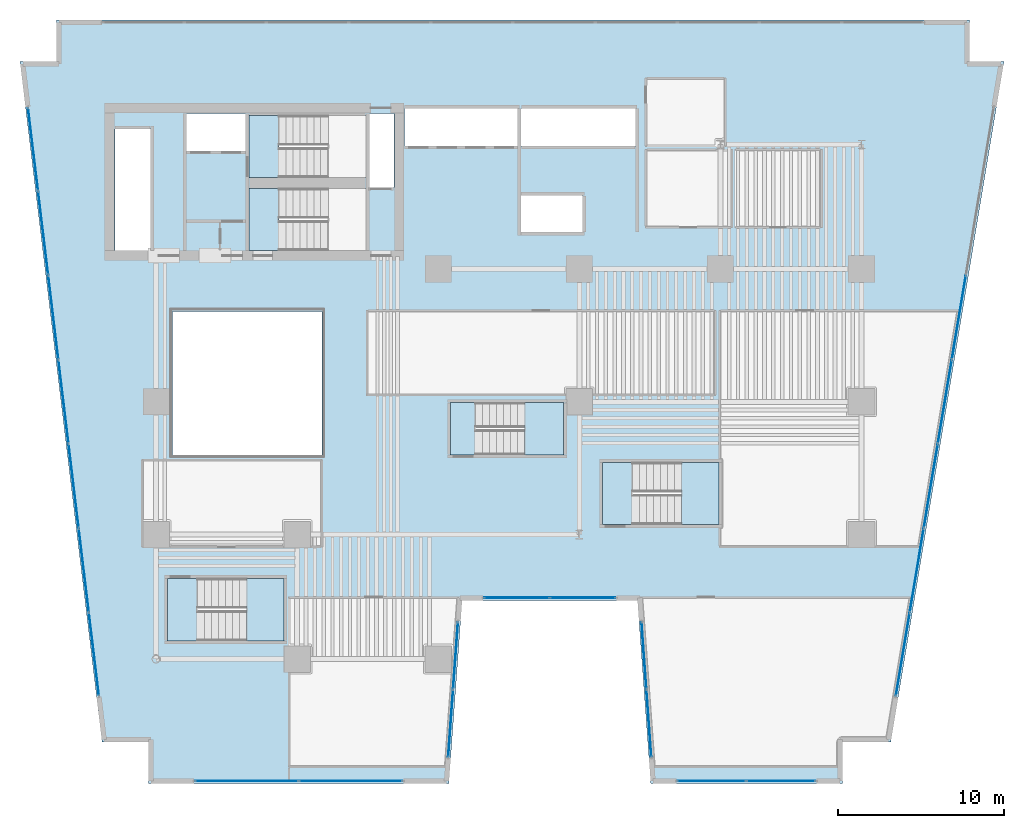
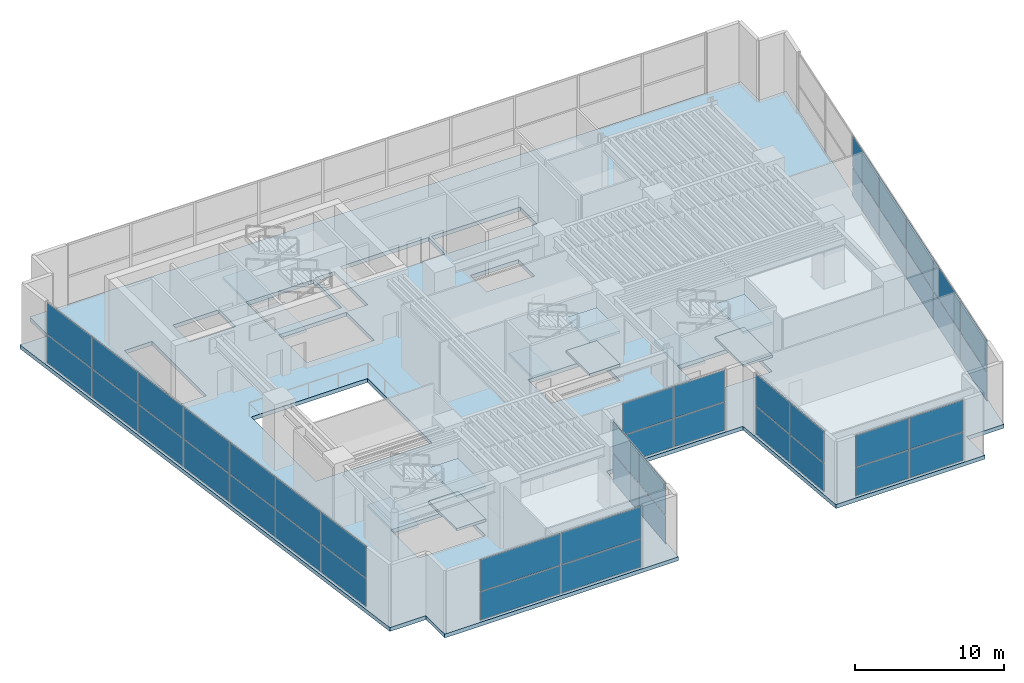
# One storey, part 7 of 16: 44 plates, 12 slabs, 12 elements without a shape of their own.
"""IFC4 building model written with IfcOpenShell, lengths in metres."""

from ifc_helpers import new_model, si_unit, direction, frame, origin, origin_2d, place, context, subcontext, project, spatial, polyline, rectangle, outline, extrude, material, layer, layer_set, type_object, element, aggregate, save


model = new_model("IFC4")

# Units and contexts
model_context = context("Model", 3, precision=1e-05, world=origin(), true_north=direction((0.0, 1.0)))
body_context = subcontext(model_context, "Body", "Model", "MODEL_VIEW")
ifc_project = project(units=[si_unit("LENGTHUNIT", "METRE"), si_unit("AREAUNIT", "SQUARE_METRE"), si_unit("VOLUMEUNIT", "CUBIC_METRE"), si_unit("PLANEANGLEUNIT", "RADIAN"), si_unit("MASSUNIT", "GRAM", prefix="KILO")], contexts=[model_context])

# Site, building, storey
site_placement = place(None, origin())
site = spatial("IfcSite", under=ifc_project, at=site_placement, CompositionType="ELEMENT")
building_placement = place(site_placement, origin())
building = spatial("IfcBuilding", under=site, at=building_placement, Name="Caeloran Harvest Quay", CompositionType="ELEMENT")
storey_placement = place(building_placement, frame((0.0, 0.0, 10.800048828125)))
storey = spatial("IfcBuildingStorey", under=building, at=storey_placement, Name="L03", CompositionType="ELEMENT", Elevation=10.800048828125)

# Curtain wall, plates
ifc_material_1 = material(Name="Aluminium 6063-T6 and Low-E Glazing", Category="aluminium")
ifc_layer_1 = layer(ifc_material_1, 0.179931640625, Name="Aluminium 6063-T6 and Low-E Glazing")
ifc_layer_set_1 = layer_set([ifc_layer_1], Name="Aluminium 6063-T6 and Low-E Glazing")
curtain_wall_type = type_object("IfcCurtainWallType", Name="CW-SYS-CW-1", PredefinedType="USERDEFINED", material=ifc_layer_set_1)
curtain_wall_1_placement = place(storey_placement, origin())
curtain_wall_1 = element("IfcCurtainWall", 1, at=curtain_wall_1_placement, inside=storey, type_object=curtain_wall_type, Name="L03 Unitised Curtain Wall CW-1 Run 3", ObjectType="CURTAIN_WALL", PredefinedType="USERDEFINED")
ifc_material_2 = material(Name="Low-E Double Glazed Vision Glass Unit", Category="glass")
ifc_layer_2 = layer(ifc_material_2, 0.035888671875, Name="Low-E Double Glazed Vision Glass Unit")
ifc_layer_set_2 = layer_set([ifc_layer_2], Name="Low-E Double Glazed Vision Glass Unit")
plate_type = type_object("IfcPlateType", Name="CW-VISION-PANEL", PredefinedType="CURTAIN_PANEL", material=ifc_layer_set_2)
plate_1_placement = place(storey_placement, frame((4.75634765625, 7.78955078125, 0.080078125), z_axis=(0.0, 0.0, 1.0), x_axis=(-0.11965503681, 0.992815527762, 0.0)))
plate_1 = element("IfcPlate", 2, at=plate_1_placement, type_object=plate_type, Name="CW-1 panel 1.1", PredefinedType="CURTAIN_PANEL", context=body_context, shape_type="SweptSolid", body=[
    extrude(rectangle(XDim=4.993408203125, YDim=0.035888671875, at=origin_2d()), origin(), (0.0, 0.0, 1.0), 2.280029296875),
])
plate_2_placement = place(storey_placement, frame((4.75634765625, 7.78955078125, 2.43994140625), z_axis=(0.0, 0.0, 1.0), x_axis=(-0.11965503681, 0.992815527762, 0.0)))
plate_2 = element("IfcPlate", 3, at=plate_2_placement, type_object=plate_type, Name="CW-1 panel 1.2", PredefinedType="CURTAIN_PANEL", context=body_context, shape_type="SweptSolid", body=[
    extrude(rectangle(XDim=4.993408203125, YDim=0.035888671875, at=origin_2d()), origin(), (0.0, 0.0, 1.0), 2.56005859375),
])
plate_3_placement = place(storey_placement, frame((4.146728515625, 12.846435546875, 0.080078125), z_axis=(0.0, 0.0, 1.0), x_axis=(-0.11965503681, 0.992815527762, 0.0)))
plate_3 = element("IfcPlate", 4, at=plate_3_placement, type_object=plate_type, Name="CW-1 panel 2.1", PredefinedType="CURTAIN_PANEL", context=body_context, shape_type="SweptSolid", body=[
    extrude(rectangle(XDim=5.033447265625, YDim=0.035888671875, at=origin_2d()), origin(), (0.0, 0.0, 1.0), 2.280029296875),
])
plate_4_placement = place(storey_placement, frame((4.146728515625, 12.846435546875, 2.43994140625), z_axis=(0.0, 0.0, 1.0), x_axis=(-0.11965503681, 0.992815527762, 0.0)))
plate_4 = element("IfcPlate", 5, at=plate_4_placement, type_object=plate_type, Name="CW-1 panel 2.2", PredefinedType="CURTAIN_PANEL", context=body_context, shape_type="SweptSolid", body=[
    extrude(rectangle(XDim=5.033447265625, YDim=0.035888671875, at=origin_2d()), origin(), (0.0, 0.0, 1.0), 2.56005859375),
])
plate_5_placement = place(storey_placement, frame((3.534912109375, 17.92333984375, 0.080078125), z_axis=(0.0, 0.0, 1.0), x_axis=(-0.11965503681, 0.992815527762, 0.0)))
plate_5 = element("IfcPlate", 6, at=plate_5_placement, type_object=plate_type, Name="CW-1 panel 3.1", PredefinedType="CURTAIN_PANEL", context=body_context, shape_type="SweptSolid", body=[
    extrude(rectangle(XDim=5.033447265625, YDim=0.035888671875, at=origin_2d()), origin(), (0.0, 0.0, 1.0), 2.280029296875),
])
plate_6_placement = place(storey_placement, frame((3.534912109375, 17.92333984375, 2.43994140625), z_axis=(0.0, 0.0, 1.0), x_axis=(-0.11965503681, 0.992815527762, 0.0)))
plate_6 = element("IfcPlate", 7, at=plate_6_placement, type_object=plate_type, Name="CW-1 panel 3.2", PredefinedType="CURTAIN_PANEL", context=body_context, shape_type="SweptSolid", body=[
    extrude(rectangle(XDim=5.033447265625, YDim=0.035888671875, at=origin_2d()), origin(), (0.0, 0.0, 1.0), 2.56005859375),
])
plate_7_placement = place(storey_placement, frame((2.923095703125, 23.0, 0.080078125), z_axis=(0.0, 0.0, 1.0), x_axis=(-0.11965503681, 0.992815527762, 0.0)))
plate_7 = element("IfcPlate", 8, at=plate_7_placement, type_object=plate_type, Name="CW-1 panel 4.1", PredefinedType="CURTAIN_PANEL", context=body_context, shape_type="SweptSolid", body=[
    extrude(rectangle(XDim=5.033447265625, YDim=0.035888671875, at=origin_2d()), origin(), (0.0, 0.0, 1.0), 2.280029296875),
])
plate_8_placement = place(storey_placement, frame((2.923095703125, 23.0, 2.43994140625), z_axis=(0.0, 0.0, 1.0), x_axis=(-0.11965503681, 0.992815527762, 0.0)))
plate_8 = element("IfcPlate", 9, at=plate_8_placement, type_object=plate_type, Name="CW-1 panel 4.2", PredefinedType="CURTAIN_PANEL", context=body_context, shape_type="SweptSolid", body=[
    extrude(rectangle(XDim=5.033447265625, YDim=0.035888671875, at=origin_2d()), origin(), (0.0, 0.0, 1.0), 2.56005859375),
])
plate_9_placement = place(storey_placement, frame((2.311279296875, 28.07666015625, 0.080078125), z_axis=(0.0, 0.0, 1.0), x_axis=(-0.11965503681, 0.992815527762, 0.0)))
plate_9 = element("IfcPlate", 10, at=plate_9_placement, type_object=plate_type, Name="CW-1 panel 5.1", PredefinedType="CURTAIN_PANEL", context=body_context, shape_type="SweptSolid", body=[
    extrude(rectangle(XDim=5.033447265625, YDim=0.035888671875, at=origin_2d()), origin(), (0.0, 0.0, 1.0), 2.280029296875),
])
plate_10_placement = place(storey_placement, frame((2.311279296875, 28.07666015625, 2.43994140625), z_axis=(0.0, 0.0, 1.0), x_axis=(-0.11965503681, 0.992815527762, 0.0)))
plate_10 = element("IfcPlate", 11, at=plate_10_placement, type_object=plate_type, Name="CW-1 panel 5.2", PredefinedType="CURTAIN_PANEL", context=body_context, shape_type="SweptSolid", body=[
    extrude(rectangle(XDim=5.033447265625, YDim=0.035888671875, at=origin_2d()), origin(), (0.0, 0.0, 1.0), 2.56005859375),
])
plate_11_placement = place(storey_placement, frame((1.699462890625, 33.153564453125, 0.080078125), z_axis=(0.0, 0.0, 1.0), x_axis=(-0.11965503681, 0.992815527762, 0.0)))
plate_11 = element("IfcPlate", 12, at=plate_11_placement, type_object=plate_type, Name="CW-1 panel 6.1", PredefinedType="CURTAIN_PANEL", context=body_context, shape_type="SweptSolid", body=[
    extrude(rectangle(XDim=5.033447265625, YDim=0.035888671875, at=origin_2d()), origin(), (0.0, 0.0, 1.0), 2.280029296875),
])
plate_12_placement = place(storey_placement, frame((1.699462890625, 33.153564453125, 2.43994140625), z_axis=(0.0, 0.0, 1.0), x_axis=(-0.11965503681, 0.992815527762, 0.0)))
plate_12 = element("IfcPlate", 13, at=plate_12_placement, type_object=plate_type, Name="CW-1 panel 6.2", PredefinedType="CURTAIN_PANEL", context=body_context, shape_type="SweptSolid", body=[
    extrude(rectangle(XDim=5.033447265625, YDim=0.035888671875, at=origin_2d()), origin(), (0.0, 0.0, 1.0), 2.56005859375),
])
plate_13_placement = place(storey_placement, frame((1.08984375, 38.21044921875, 0.080078125), z_axis=(0.0, 0.0, 1.0), x_axis=(-0.11965503681, 0.992815527762, 0.0)))
plate_13 = element("IfcPlate", 14, at=plate_13_placement, type_object=plate_type, Name="CW-1 panel 7.1", PredefinedType="CURTAIN_PANEL", context=body_context, shape_type="SweptSolid", body=[
    extrude(rectangle(XDim=4.993408203125, YDim=0.035888671875, at=origin_2d()), origin(), (0.0, 0.0, 1.0), 2.280029296875),
])
plate_14_placement = place(storey_placement, frame((1.08984375, 38.21044921875, 2.43994140625), z_axis=(0.0, 0.0, 1.0), x_axis=(-0.11965503681, 0.992815527762, 0.0)))
plate_14 = element("IfcPlate", 15, at=plate_14_placement, type_object=plate_type, Name="CW-1 panel 7.2", PredefinedType="CURTAIN_PANEL", context=body_context, shape_type="SweptSolid", body=[
    extrude(rectangle(XDim=4.993408203125, YDim=0.035888671875, at=origin_2d()), origin(), (0.0, 0.0, 1.0), 2.56005859375),
])
aggregate(curtain_wall_1, [plate_1, plate_2, plate_3, plate_4, plate_5, plate_6, plate_7, plate_8, plate_9, plate_10, plate_11, plate_12, plate_13, plate_14])

curtain_wall_2_placement = place(storey_placement, origin())
curtain_wall_2 = element("IfcCurtainWall", 16, at=curtain_wall_2_placement, inside=storey, type_object=curtain_wall_type, Name="L03 Unitised Curtain Wall CW-1 Run 9", ObjectType="CURTAIN_WALL", PredefinedType="USERDEFINED")
plate_15_placement = place(storey_placement, frame((56.86572265625, 28.08154296875, 0.080078125), z_axis=(0.0, 0.0, 1.0), x_axis=(-0.164174131837, -0.986431373404, 0.0)))
plate_15 = element("IfcPlate", 17, at=plate_15_placement, type_object=plate_type, Name="CW-1 panel 3.1", PredefinedType="CURTAIN_PANEL", context=body_context, shape_type="SweptSolid", body=[
    extrude(rectangle(XDim=5.071533203125, YDim=0.035888671875, at=origin_2d()), origin(), (0.0, 0.0, 1.0), 2.280029296875),
])
plate_16_placement = place(storey_placement, frame((56.86572265625, 28.08154296875, 2.43994140625), z_axis=(0.0, 0.0, 1.0), x_axis=(-0.164174131837, -0.986431373404, 0.0)))
plate_16 = element("IfcPlate", 18, at=plate_16_placement, type_object=plate_type, Name="CW-1 panel 3.2", PredefinedType="CURTAIN_PANEL", context=body_context, shape_type="SweptSolid", body=[
    extrude(rectangle(XDim=5.071533203125, YDim=0.035888671875, at=origin_2d()), origin(), (0.0, 0.0, 1.0), 2.56005859375),
])
plate_17_placement = place(storey_placement, frame((56.02001953125, 23.0, 0.080078125), z_axis=(0.0, 0.0, 1.0), x_axis=(-0.164174131837, -0.986431373404, 0.0)))
plate_17 = element("IfcPlate", 19, at=plate_17_placement, type_object=plate_type, Name="CW-1 panel 4.1", PredefinedType="CURTAIN_PANEL", context=body_context, shape_type="SweptSolid", body=[
    extrude(rectangle(XDim=5.071533203125, YDim=0.035888671875, at=origin_2d()), origin(), (0.0, 0.0, 1.0), 2.280029296875),
])
plate_18_placement = place(storey_placement, frame((56.02001953125, 23.0, 2.43994140625), z_axis=(0.0, 0.0, 1.0), x_axis=(-0.164174131837, -0.986431373404, 0.0)))
plate_18 = element("IfcPlate", 20, at=plate_18_placement, type_object=plate_type, Name="CW-1 panel 4.2", PredefinedType="CURTAIN_PANEL", context=body_context, shape_type="SweptSolid", body=[
    extrude(rectangle(XDim=5.071533203125, YDim=0.035888671875, at=origin_2d()), origin(), (0.0, 0.0, 1.0), 2.56005859375),
])
plate_19_placement = place(storey_placement, frame((55.17431640625, 17.91845703125, 0.080078125), z_axis=(0.0, 0.0, 1.0), x_axis=(-0.164174131837, -0.986431373404, 0.0)))
plate_19 = element("IfcPlate", 21, at=plate_19_placement, type_object=plate_type, Name="CW-1 panel 5.1", PredefinedType="CURTAIN_PANEL", context=body_context, shape_type="SweptSolid", body=[
    extrude(rectangle(XDim=5.071533203125, YDim=0.035888671875, at=origin_2d()), origin(), (0.0, 0.0, 1.0), 2.280029296875),
])
plate_20_placement = place(storey_placement, frame((55.17431640625, 17.91845703125, 2.43994140625), z_axis=(0.0, 0.0, 1.0), x_axis=(-0.164174131837, -0.986431373404, 0.0)))
plate_20 = element("IfcPlate", 22, at=plate_20_placement, type_object=plate_type, Name="CW-1 panel 5.2", PredefinedType="CURTAIN_PANEL", context=body_context, shape_type="SweptSolid", body=[
    extrude(rectangle(XDim=5.071533203125, YDim=0.035888671875, at=origin_2d()), origin(), (0.0, 0.0, 1.0), 2.56005859375),
])
plate_21_placement = place(storey_placement, frame((54.32861328125, 12.8369140625, 0.080078125), z_axis=(0.0, 0.0, 1.0), x_axis=(-0.164174131837, -0.986431373404, 0.0)))
plate_21 = element("IfcPlate", 23, at=plate_21_placement, type_object=plate_type, Name="CW-1 panel 6.1", PredefinedType="CURTAIN_PANEL", context=body_context, shape_type="SweptSolid", body=[
    extrude(rectangle(XDim=5.071533203125, YDim=0.035888671875, at=origin_2d()), origin(), (0.0, 0.0, 1.0), 2.280029296875),
])
plate_22_placement = place(storey_placement, frame((54.32861328125, 12.8369140625, 2.43994140625), z_axis=(0.0, 0.0, 1.0), x_axis=(-0.164174131837, -0.986431373404, 0.0)))
plate_22 = element("IfcPlate", 24, at=plate_22_placement, type_object=plate_type, Name="CW-1 panel 6.2", PredefinedType="CURTAIN_PANEL", context=body_context, shape_type="SweptSolid", body=[
    extrude(rectangle(XDim=5.071533203125, YDim=0.035888671875, at=origin_2d()), origin(), (0.0, 0.0, 1.0), 2.56005859375),
])
plate_23_placement = place(storey_placement, frame((53.486083984375, 7.775146484375, 0.080078125), z_axis=(0.0, 0.0, 1.0), x_axis=(-0.164174131837, -0.986431373404, 0.0)))
plate_23 = element("IfcPlate", 25, at=plate_23_placement, type_object=plate_type, Name="CW-1 panel 7.1", PredefinedType="CURTAIN_PANEL", context=body_context, shape_type="SweptSolid", body=[
    extrude(rectangle(XDim=5.031494140625, YDim=0.035888671875, at=origin_2d()), origin(), (0.0, 0.0, 1.0), 2.280029296875),
])
plate_24_placement = place(storey_placement, frame((53.486083984375, 7.775146484375, 2.43994140625), z_axis=(0.0, 0.0, 1.0), x_axis=(-0.164174131837, -0.986431373404, 0.0)))
plate_24 = element("IfcPlate", 26, at=plate_24_placement, type_object=plate_type, Name="CW-1 panel 7.2", PredefinedType="CURTAIN_PANEL", context=body_context, shape_type="SweptSolid", body=[
    extrude(rectangle(XDim=5.031494140625, YDim=0.035888671875, at=origin_2d()), origin(), (0.0, 0.0, 1.0), 2.56005859375),
])
aggregate(curtain_wall_2, [plate_15, plate_16, plate_17, plate_18, plate_19, plate_20, plate_21, plate_22, plate_23, plate_24])

curtain_wall_3_placement = place(storey_placement, origin())
curtain_wall_3 = element("IfcCurtainWall", 27, at=curtain_wall_3_placement, inside=storey, type_object=curtain_wall_type, Name="L03 Unitised Curtain Wall CW-1 Run 12", ObjectType="CURTAIN_WALL", PredefinedType="USERDEFINED")
plate_25_placement = place(storey_placement, frame((46.161376953125, 0.14990234375, 0.080078125), z_axis=(0.0, 0.0, 1.0), x_axis=(-1.0, 0.0, 0.0)))
plate_25 = element("IfcPlate", 28, at=plate_25_placement, type_object=plate_type, Name="CW-1 panel 1.1", PredefinedType="CURTAIN_PANEL", context=body_context, shape_type="SweptSolid", body=[
    extrude(rectangle(XDim=4.105224609375, YDim=0.035888671875, at=origin_2d()), origin(), (0.0, 0.0, 1.0), 2.280029296875),
])
plate_26_placement = place(storey_placement, frame((46.161376953125, 0.14990234375, 2.43994140625), z_axis=(0.0, 0.0, 1.0), x_axis=(-1.0, 0.0, 0.0)))
plate_26 = element("IfcPlate", 29, at=plate_26_placement, type_object=plate_type, Name="CW-1 panel 1.2", PredefinedType="CURTAIN_PANEL", context=body_context, shape_type="SweptSolid", body=[
    extrude(rectangle(XDim=4.105224609375, YDim=0.035888671875, at=origin_2d()), origin(), (0.0, 0.0, 1.0), 2.56005859375),
])
plate_27_placement = place(storey_placement, frame((41.97607421875, 0.14990234375, 0.080078125), z_axis=(0.0, 0.0, 1.0), x_axis=(-1.0, 0.0, 0.0)))
plate_27 = element("IfcPlate", 30, at=plate_27_placement, type_object=plate_type, Name="CW-1 panel 2.1", PredefinedType="CURTAIN_PANEL", context=body_context, shape_type="SweptSolid", body=[
    extrude(rectangle(XDim=4.105224609375, YDim=0.035888671875, at=origin_2d()), origin(), (0.0, 0.0, 1.0), 2.280029296875),
])
plate_28_placement = place(storey_placement, frame((41.97607421875, 0.14990234375, 2.43994140625), z_axis=(0.0, 0.0, 1.0), x_axis=(-1.0, 0.0, 0.0)))
plate_28 = element("IfcPlate", 31, at=plate_28_placement, type_object=plate_type, Name="CW-1 panel 2.2", PredefinedType="CURTAIN_PANEL", context=body_context, shape_type="SweptSolid", body=[
    extrude(rectangle(XDim=4.105224609375, YDim=0.035888671875, at=origin_2d()), origin(), (0.0, 0.0, 1.0), 2.56005859375),
])
aggregate(curtain_wall_3, [plate_25, plate_26, plate_27, plate_28])

curtain_wall_4_placement = place(storey_placement, origin())
curtain_wall_4 = element("IfcCurtainWall", 32, at=curtain_wall_4_placement, inside=storey, type_object=curtain_wall_type, Name="L03 Unitised Curtain Wall CW-1 Run 13", ObjectType="CURTAIN_WALL", PredefinedType="USERDEFINED")
plate_29_placement = place(storey_placement, frame((38.19140625, 3.628173828125, 0.080078125), z_axis=(0.0, 0.0, 1.0), x_axis=(-0.072270599173, 0.997385061295, 0.0)))
plate_29 = element("IfcPlate", 33, at=plate_29_placement, type_object=plate_type, Name="CW-1 panel 1.1", PredefinedType="CURTAIN_PANEL", context=body_context, shape_type="SweptSolid", body=[
    extrude(rectangle(XDim=4.014404296875, YDim=0.035888671875, at=origin_2d()), origin(), (0.0, 0.0, 1.0), 2.280029296875),
])
plate_30_placement = place(storey_placement, frame((38.19140625, 3.628173828125, 2.43994140625), z_axis=(0.0, 0.0, 1.0), x_axis=(-0.072270599173, 0.997385061295, 0.0)))
plate_30 = element("IfcPlate", 34, at=plate_30_placement, type_object=plate_type, Name="CW-1 panel 1.2", PredefinedType="CURTAIN_PANEL", context=body_context, shape_type="SweptSolid", body=[
    extrude(rectangle(XDim=4.014404296875, YDim=0.035888671875, at=origin_2d()), origin(), (0.0, 0.0, 1.0), 2.56005859375),
])
plate_31_placement = place(storey_placement, frame((37.8955078125, 7.7119140625, 0.080078125), z_axis=(0.0, 0.0, 1.0), x_axis=(-0.072270599173, 0.997385061295, 0.0)))
plate_31 = element("IfcPlate", 35, at=plate_31_placement, type_object=plate_type, Name="CW-1 panel 2.1", PredefinedType="CURTAIN_PANEL", context=body_context, shape_type="SweptSolid", body=[
    extrude(rectangle(XDim=4.014404296875, YDim=0.035888671875, at=origin_2d()), origin(), (0.0, 0.0, 1.0), 2.280029296875),
])
plate_32_placement = place(storey_placement, frame((37.8955078125, 7.7119140625, 2.43994140625), z_axis=(0.0, 0.0, 1.0), x_axis=(-0.072270599173, 0.997385061295, 0.0)))
plate_32 = element("IfcPlate", 36, at=plate_32_placement, type_object=plate_type, Name="CW-1 panel 2.2", PredefinedType="CURTAIN_PANEL", context=body_context, shape_type="SweptSolid", body=[
    extrude(rectangle(XDim=4.014404296875, YDim=0.035888671875, at=origin_2d()), origin(), (0.0, 0.0, 1.0), 2.56005859375),
])
aggregate(curtain_wall_4, [plate_29, plate_30, plate_31, plate_32])

curtain_wall_5_placement = place(storey_placement, origin())
curtain_wall_5 = element("IfcCurtainWall", 37, at=curtain_wall_5_placement, inside=storey, type_object=curtain_wall_type, Name="L03 Unitised Curtain Wall CW-1 Run 14", ObjectType="CURTAIN_WALL", PredefinedType="USERDEFINED")
plate_33_placement = place(storey_placement, frame((34.211669921875, 11.18994140625, 0.080078125), z_axis=(0.0, 0.0, 1.0), x_axis=(-1.0, 0.0, 0.0)))
plate_33 = element("IfcPlate", 38, at=plate_33_placement, type_object=plate_type, Name="CW-1 panel 1.1", PredefinedType="CURTAIN_PANEL", context=body_context, shape_type="SweptSolid", body=[
    extrude(rectangle(XDim=3.903564453125, YDim=0.035888671875, at=origin_2d()), origin(), (0.0, 0.0, 1.0), 2.280029296875),
])
plate_34_placement = place(storey_placement, frame((34.211669921875, 11.18994140625, 2.43994140625), z_axis=(0.0, 0.0, 1.0), x_axis=(-1.0, 0.0, 0.0)))
plate_34 = element("IfcPlate", 39, at=plate_34_placement, type_object=plate_type, Name="CW-1 panel 1.2", PredefinedType="CURTAIN_PANEL", context=body_context, shape_type="SweptSolid", body=[
    extrude(rectangle(XDim=3.903564453125, YDim=0.035888671875, at=origin_2d()), origin(), (0.0, 0.0, 1.0), 2.56005859375),
])
plate_35_placement = place(storey_placement, frame((30.228271484375, 11.18994140625, 0.080078125), z_axis=(0.0, 0.0, 1.0), x_axis=(-1.0, 0.0, 0.0)))
plate_35 = element("IfcPlate", 40, at=plate_35_placement, type_object=plate_type, Name="CW-1 panel 2.1", PredefinedType="CURTAIN_PANEL", context=body_context, shape_type="SweptSolid", body=[
    extrude(rectangle(XDim=3.903564453125, YDim=0.035888671875, at=origin_2d()), origin(), (0.0, 0.0, 1.0), 2.280029296875),
])
plate_36_placement = place(storey_placement, frame((30.228271484375, 11.18994140625, 2.43994140625), z_axis=(0.0, 0.0, 1.0), x_axis=(-1.0, 0.0, 0.0)))
plate_36 = element("IfcPlate", 41, at=plate_36_placement, type_object=plate_type, Name="CW-1 panel 2.2", PredefinedType="CURTAIN_PANEL", context=body_context, shape_type="SweptSolid", body=[
    extrude(rectangle(XDim=3.903564453125, YDim=0.035888671875, at=origin_2d()), origin(), (0.0, 0.0, 1.0), 2.56005859375),
])
aggregate(curtain_wall_5, [plate_33, plate_34, plate_35, plate_36])

curtain_wall_6_placement = place(storey_placement, origin())
curtain_wall_6 = element("IfcCurtainWall", 42, at=curtain_wall_6_placement, inside=storey, type_object=curtain_wall_type, Name="L03 Unitised Curtain Wall CW-1 Run 15", ObjectType="CURTAIN_WALL", PredefinedType="USERDEFINED")
plate_37_placement = place(storey_placement, frame((26.54443359375, 7.7119140625, 0.080078125), z_axis=(0.0, 0.0, 1.0), x_axis=(-0.072270599173, -0.997385061295, 0.0)))
plate_37 = element("IfcPlate", 43, at=plate_37_placement, type_object=plate_type, Name="CW-1 panel 1.1", PredefinedType="CURTAIN_PANEL", context=body_context, shape_type="SweptSolid", body=[
    extrude(rectangle(XDim=4.014404296875, YDim=0.035888671875, at=origin_2d()), origin(), (0.0, 0.0, 1.0), 2.280029296875),
])
plate_38_placement = place(storey_placement, frame((26.54443359375, 7.7119140625, 2.43994140625), z_axis=(0.0, 0.0, 1.0), x_axis=(-0.072270599173, -0.997385061295, 0.0)))
plate_38 = element("IfcPlate", 44, at=plate_38_placement, type_object=plate_type, Name="CW-1 panel 1.2", PredefinedType="CURTAIN_PANEL", context=body_context, shape_type="SweptSolid", body=[
    extrude(rectangle(XDim=4.014404296875, YDim=0.035888671875, at=origin_2d()), origin(), (0.0, 0.0, 1.0), 2.56005859375),
])
plate_39_placement = place(storey_placement, frame((26.24853515625, 3.628173828125, 0.080078125), z_axis=(0.0, 0.0, 1.0), x_axis=(-0.072270599173, -0.997385061295, 0.0)))
plate_39 = element("IfcPlate", 45, at=plate_39_placement, type_object=plate_type, Name="CW-1 panel 2.1", PredefinedType="CURTAIN_PANEL", context=body_context, shape_type="SweptSolid", body=[
    extrude(rectangle(XDim=4.014404296875, YDim=0.035888671875, at=origin_2d()), origin(), (0.0, 0.0, 1.0), 2.280029296875),
])
plate_40_placement = place(storey_placement, frame((26.24853515625, 3.628173828125, 2.43994140625), z_axis=(0.0, 0.0, 1.0), x_axis=(-0.072270599173, -0.997385061295, 0.0)))
plate_40 = element("IfcPlate", 46, at=plate_40_placement, type_object=plate_type, Name="CW-1 panel 2.2", PredefinedType="CURTAIN_PANEL", context=body_context, shape_type="SweptSolid", body=[
    extrude(rectangle(XDim=4.014404296875, YDim=0.035888671875, at=origin_2d()), origin(), (0.0, 0.0, 1.0), 2.56005859375),
])
aggregate(curtain_wall_6, [plate_37, plate_38, plate_39, plate_40])

curtain_wall_7_placement = place(storey_placement, origin())
curtain_wall_7 = element("IfcCurtainWall", 47, at=curtain_wall_7_placement, inside=storey, type_object=curtain_wall_type, Name="L03 Unitised Curtain Wall CW-1 Run 16", ObjectType="CURTAIN_WALL", PredefinedType="USERDEFINED")
plate_41_placement = place(storey_placement, frame((20.225830078125, 0.14990234375, 0.080078125), z_axis=(0.0, 0.0, 1.0), x_axis=(-1.0, 0.0, 0.0)))
plate_41 = element("IfcPlate", 48, at=plate_41_placement, type_object=plate_type, Name="CW-1 panel 1.1", PredefinedType="CURTAIN_PANEL", context=body_context, shape_type="SweptSolid", body=[
    extrude(rectangle(XDim=6.18115234375, YDim=0.035888671875, at=origin_2d()), origin(), (0.0, 0.0, 1.0), 2.280029296875),
])
plate_42_placement = place(storey_placement, frame((20.225830078125, 0.14990234375, 2.43994140625), z_axis=(0.0, 0.0, 1.0), x_axis=(-1.0, 0.0, 0.0)))
plate_42 = element("IfcPlate", 49, at=plate_42_placement, type_object=plate_type, Name="CW-1 panel 1.2", PredefinedType="CURTAIN_PANEL", context=body_context, shape_type="SweptSolid", body=[
    extrude(rectangle(XDim=6.18115234375, YDim=0.035888671875, at=origin_2d()), origin(), (0.0, 0.0, 1.0), 2.56005859375),
])
plate_43_placement = place(storey_placement, frame((13.964599609375, 0.14990234375, 0.080078125), z_axis=(0.0, 0.0, 1.0), x_axis=(-1.0, 0.0, 0.0)))
plate_43 = element("IfcPlate", 50, at=plate_43_placement, type_object=plate_type, Name="CW-1 panel 2.1", PredefinedType="CURTAIN_PANEL", context=body_context, shape_type="SweptSolid", body=[
    extrude(rectangle(XDim=6.18115234375, YDim=0.035888671875, at=origin_2d()), origin(), (0.0, 0.0, 1.0), 2.280029296875),
])
plate_44_placement = place(storey_placement, frame((13.964599609375, 0.14990234375, 2.43994140625), z_axis=(0.0, 0.0, 1.0), x_axis=(-1.0, 0.0, 0.0)))
plate_44 = element("IfcPlate", 51, at=plate_44_placement, type_object=plate_type, Name="CW-1 panel 2.2", PredefinedType="CURTAIN_PANEL", context=body_context, shape_type="SweptSolid", body=[
    extrude(rectangle(XDim=6.18115234375, YDim=0.035888671875, at=origin_2d()), origin(), (0.0, 0.0, 1.0), 2.56005859375),
])
aggregate(curtain_wall_7, [plate_41, plate_42, plate_43, plate_44])

# Slab
ifc_material_3 = material(Name="Concrete C50/60", Category="concrete")
ifc_layer_3 = layer(ifc_material_3, 0.320068359375, Name="Concrete C50/60")
ifc_layer_set_3 = layer_set([ifc_layer_3], Name="Concrete C50/60")
slab_type_1 = type_object("IfcSlabType", Name="SLAB-FS-320", PredefinedType="FLOOR", material=ifc_layer_set_3)
slab_1_placement = place(storey_placement, frame((0.0, 0.0, -0.320068359375)))
element("IfcSlab", 52, at=slab_1_placement, inside=storey, type_object=slab_type_1, Name="L03 Structural Floor Slab", PredefinedType="FLOOR", context=body_context, shape_type="SweptSolid", body=[
    extrude(outline(polyline([(8.0439453125, 0.0), (26.135986328125, 0.0), (26.93603515625, 11.0400390625), (37.50390625, 11.0400390625), (38.303955078125, 0.0), (49.843994140625, 0.0), (49.843994140625, 2.5), (52.760009765625, 2.5), (59.583984375, 43.5), (57.5, 43.5), (57.5, 46.0), (2.5, 46.0), (2.5, 43.5), (0.30126953125, 43.5), (5.24267578125, 2.5), (8.0439453125, 2.5), (8.0439453125, 0.0)]), holes=[polyline([(11.0, 8.60009765625), (11.0, 12.35009765625), (16.199951171875, 12.35009765625), (16.199951171875, 8.60009765625), (11.0, 8.60009765625)]), polyline([(9.5, 19.800048828125), (9.5, 28.449951171875), (18.5, 28.449951171875), (18.5, 19.800048828125), (9.5, 19.800048828125)]), polyline([(15.89990234375, 35.85009765625), (21.14990234375, 35.85009765625), (21.14990234375, 32.10009765625), (15.89990234375, 32.10009765625), (15.89990234375, 35.85009765625)]), polyline([(8.159912109375, 32.1201171875), (6.02001953125, 32.1201171875), (6.02001953125, 39.419921875), (8.159912109375, 39.419921875), (8.159912109375, 32.1201171875)]), polyline([(15.89990234375, 40.25), (21.14990234375, 40.25), (21.14990234375, 36.5), (15.89990234375, 36.5), (15.89990234375, 40.25)]), polyline([(10.320068359375, 38.1201171875), (10.320068359375, 40.3798828125), (13.89990234375, 40.3798828125), (13.89990234375, 38.1201171875), (10.320068359375, 38.1201171875)]), polyline([(37.199951171875, 15.60009765625), (37.199951171875, 19.35009765625), (42.39990234375, 19.35009765625), (42.39990234375, 15.60009765625), (37.199951171875, 15.60009765625)]), polyline([(27.75, 22.949951171875), (33.050048828125, 22.949951171875), (33.050048828125, 19.800048828125), (27.75, 19.800048828125), (27.75, 22.949951171875)]), polyline([(30.47998046875, 33.219970703125), (30.47998046875, 35.429931640625), (34.199951171875, 35.429931640625), (34.199951171875, 33.219970703125), (30.47998046875, 33.219970703125)]), polyline([(22.830078125, 35.919921875), (21.35009765625, 35.919921875), (21.35009765625, 40.3798828125), (22.830078125, 40.3798828125), (22.830078125, 35.919921875)]), polyline([(23.469970703125, 38.419921875), (23.469970703125, 40.679931640625), (30.280029296875, 40.679931640625), (30.280029296875, 38.419921875), (23.469970703125, 38.419921875)]), polyline([(30.47998046875, 38.419921875), (30.47998046875, 40.679931640625), (37.3798828125, 40.679931640625), (37.3798828125, 38.419921875), (30.47998046875, 38.419921875)])]), origin(), (0.0, 0.0, 1.0), 0.320068359375),
])

# Stair, slab
stair_type_1 = type_object("IfcStairType", Name="STAIR-STC-180", PredefinedType="HALF_TURN_STAIR", material=ifc_material_3)
stair_1_placement = place(storey_placement, origin())
stair_1 = element("IfcStair", 53, at=stair_1_placement, inside=storey, type_object=stair_type_1, Name="L03 Core Pressurized Exit Stair ST-C1", PredefinedType="HALF_TURN_STAIR")
ifc_layer_4 = layer(ifc_material_3, 0.219970703125, Name="Concrete C50/60")
ifc_layer_set_4 = layer_set([ifc_layer_4], Name="Concrete C50/60")
slab_type_2 = type_object("IfcSlabType", Name="STAIR-LANDING-220", PredefinedType="LANDING", material=ifc_layer_set_4)
slab_2_placement = place(storey_placement, frame((0.0, 0.0, 2.5)))
slab_2 = element("IfcSlab", 54, at=slab_2_placement, type_object=slab_type_2, Name="ST-C1 landing 2", PredefinedType="LANDING", context=body_context, shape_type="SweptSolid", body=[
    extrude(outline(polyline([(14.10009765625, 36.5), (15.89990234375, 36.5), (15.89990234375, 40.25), (14.10009765625, 40.25), (14.10009765625, 36.5)])), origin(), (0.0, 0.0, 1.0), 0.199951171875),
])
aggregate(stair_1, [slab_2])

stair_2_placement = place(storey_placement, origin())
stair_2 = element("IfcStair", 55, at=stair_2_placement, inside=storey, type_object=stair_type_1, Name="L03 Core Pressurized Exit Stair ST-C2", PredefinedType="HALF_TURN_STAIR")
slab_3_placement = place(storey_placement, frame((0.0, 0.0, 2.5)))
slab_3 = element("IfcSlab", 56, at=slab_3_placement, type_object=slab_type_2, Name="ST-C2 landing 2", PredefinedType="LANDING", context=body_context, shape_type="SweptSolid", body=[
    extrude(outline(polyline([(14.10009765625, 32.10009765625), (15.89990234375, 32.10009765625), (15.89990234375, 35.85009765625), (14.10009765625, 35.85009765625), (14.10009765625, 32.10009765625)])), origin(), (0.0, 0.0, 1.0), 0.199951171875),
])
aggregate(stair_2, [slab_3])

# Stair, slabs
stair_type_2 = type_object("IfcStairType", Name="STAIR-STW-150", PredefinedType="HALF_TURN_STAIR", material=ifc_material_3)
stair_3_placement = place(storey_placement, origin())
stair_3 = element("IfcStair", 57, at=stair_3_placement, inside=storey, type_object=stair_type_2, Name="L03 East Wing Protected Exit Stair ST-W1", PredefinedType="HALF_TURN_STAIR")
slab_4_placement = place(storey_placement, frame((0.0, 0.0, 1.14990234375)))
slab_4 = element("IfcSlab", 58, at=slab_4_placement, type_object=slab_type_2, Name="ST-W1 landing 1", PredefinedType="LANDING", context=body_context, shape_type="SweptSolid", body=[
    extrude(outline(polyline([(30.68994140625, 19.800048828125), (33.050048828125, 19.800048828125), (33.050048828125, 22.949951171875), (30.68994140625, 22.949951171875), (30.68994140625, 19.800048828125)])), origin(), (0.0, 0.0, 1.0), 0.199951171875),
])
slab_5_placement = place(storey_placement, frame((0.0, 0.0, 2.5)))
slab_5 = element("IfcSlab", 59, at=slab_5_placement, type_object=slab_type_2, Name="ST-W1 landing 2", PredefinedType="LANDING", context=body_context, shape_type="SweptSolid", body=[
    extrude(outline(polyline([(26.25, 19.800048828125), (27.75, 19.800048828125), (27.75, 22.949951171875), (26.25, 22.949951171875), (26.25, 19.800048828125)])), origin(), (0.0, 0.0, 1.0), 0.199951171875),
])
slab_6_placement = place(storey_placement, frame((0.0, 0.0, 3.849853515625)))
slab_6 = element("IfcSlab", 60, at=slab_6_placement, type_object=slab_type_2, Name="ST-W1 landing 3", PredefinedType="LANDING", context=body_context, shape_type="SweptSolid", body=[
    extrude(outline(polyline([(30.68994140625, 19.800048828125), (33.050048828125, 19.800048828125), (33.050048828125, 22.949951171875), (30.68994140625, 22.949951171875), (30.68994140625, 19.800048828125)])), origin(), (0.0, 0.0, 1.0), 0.2001953125),
])
aggregate(stair_3, [slab_4, slab_5, slab_6])

stair_type_3 = type_object("IfcStairType", Name="STAIR-STP-180", PredefinedType="HALF_TURN_STAIR", material=ifc_material_3)
stair_4_placement = place(storey_placement, origin())
stair_4 = element("IfcStair", 61, at=stair_4_placement, inside=storey, type_object=stair_type_3, Name="L03 Podium West Public Exit Stair ST-P1", PredefinedType="HALF_TURN_STAIR")
slab_7_placement = place(storey_placement, frame((0.0, 0.0, 1.14990234375)))
slab_7 = element("IfcSlab", 62, at=slab_7_placement, type_object=slab_type_2, Name="ST-P1 landing 1", PredefinedType="LANDING", context=body_context, shape_type="SweptSolid", body=[
    extrude(outline(polyline([(13.93994140625, 8.60009765625), (16.199951171875, 8.60009765625), (16.199951171875, 12.35009765625), (13.93994140625, 12.35009765625), (13.93994140625, 8.60009765625)])), origin(), (0.0, 0.0, 1.0), 0.199951171875),
])
slab_8_placement = place(storey_placement, frame((0.0, 0.0, 2.5)))
slab_8 = element("IfcSlab", 63, at=slab_8_placement, type_object=slab_type_2, Name="ST-P1 landing 2", PredefinedType="LANDING", context=body_context, shape_type="SweptSolid", body=[
    extrude(outline(polyline([(9.199951171875, 8.60009765625), (11.0, 8.60009765625), (11.0, 12.35009765625), (9.199951171875, 12.35009765625), (9.199951171875, 8.60009765625)])), origin(), (0.0, 0.0, 1.0), 0.199951171875),
])
slab_9_placement = place(storey_placement, frame((0.0, 0.0, 3.849853515625)))
slab_9 = element("IfcSlab", 64, at=slab_9_placement, type_object=slab_type_2, Name="ST-P1 landing 3", PredefinedType="LANDING", context=body_context, shape_type="SweptSolid", body=[
    extrude(outline(polyline([(13.93994140625, 8.60009765625), (16.199951171875, 8.60009765625), (16.199951171875, 12.35009765625), (13.93994140625, 12.35009765625), (13.93994140625, 8.60009765625)])), origin(), (0.0, 0.0, 1.0), 0.2001953125),
])
aggregate(stair_4, [slab_7, slab_8, slab_9])

stair_5_placement = place(storey_placement, origin())
stair_5 = element("IfcStair", 65, at=stair_5_placement, inside=storey, type_object=stair_type_3, Name="L03 Podium East Public Exit Stair ST-P2", PredefinedType="HALF_TURN_STAIR")
slab_10_placement = place(storey_placement, frame((0.0, 0.0, 1.14990234375)))
slab_10 = element("IfcSlab", 66, at=slab_10_placement, type_object=slab_type_2, Name="ST-P2 landing 1", PredefinedType="LANDING", context=body_context, shape_type="SweptSolid", body=[
    extrude(outline(polyline([(40.139892578125, 15.60009765625), (42.39990234375, 15.60009765625), (42.39990234375, 19.35009765625), (40.139892578125, 19.35009765625), (40.139892578125, 15.60009765625)])), origin(), (0.0, 0.0, 1.0), 0.199951171875),
])
slab_11_placement = place(storey_placement, frame((0.0, 0.0, 2.5)))
slab_11 = element("IfcSlab", 67, at=slab_11_placement, type_object=slab_type_2, Name="ST-P2 landing 2", PredefinedType="LANDING", context=body_context, shape_type="SweptSolid", body=[
    extrude(outline(polyline([(35.39990234375, 15.60009765625), (37.199951171875, 15.60009765625), (37.199951171875, 19.35009765625), (35.39990234375, 19.35009765625), (35.39990234375, 15.60009765625)])), origin(), (0.0, 0.0, 1.0), 0.199951171875),
])
slab_12_placement = place(storey_placement, frame((0.0, 0.0, 3.849853515625)))
slab_12 = element("IfcSlab", 68, at=slab_12_placement, type_object=slab_type_2, Name="ST-P2 landing 3", PredefinedType="LANDING", context=body_context, shape_type="SweptSolid", body=[
    extrude(outline(polyline([(40.139892578125, 15.60009765625), (42.39990234375, 15.60009765625), (42.39990234375, 19.35009765625), (40.139892578125, 19.35009765625), (40.139892578125, 15.60009765625)])), origin(), (0.0, 0.0, 1.0), 0.2001953125),
])
aggregate(stair_5, [slab_10, slab_11, slab_12])

save(model, "model.ifc")
